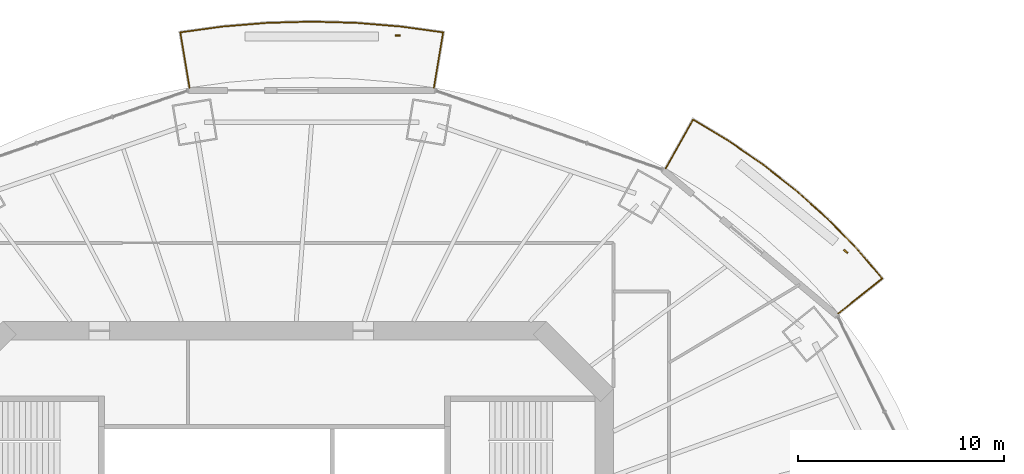
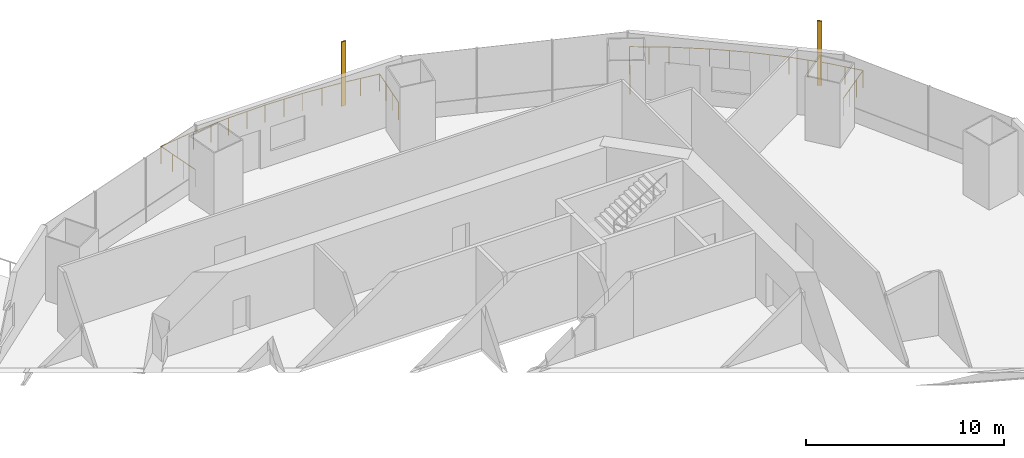
# One storey, part 17 of 19: 2 railings, 2 shading devices.
"""IFC4 building model written with IfcOpenShell, lengths in metres."""

from ifc_helpers import new_model, si_unit, direction, frame, origin, origin_2d, place, context, subcontext, project, spatial, rectangle, circle, extrude, material, material_profile, profile_set, type_object, element, save


model = new_model("IFC4")

# Units and contexts
model_context = context("Model", 3, precision=1e-05, world=origin(), true_north=direction((0.0, 1.0)))
body_context = subcontext(model_context, "Body", "Model", "MODEL_VIEW")
ifc_project = project(units=[si_unit("LENGTHUNIT", "METRE"), si_unit("AREAUNIT", "SQUARE_METRE"), si_unit("VOLUMEUNIT", "CUBIC_METRE"), si_unit("PLANEANGLEUNIT", "RADIAN"), si_unit("MASSUNIT", "GRAM", prefix="KILO")], contexts=[model_context])

# Site, building, storey
site_placement = place(None, origin())
site = spatial("IfcSite", under=ifc_project, at=site_placement, CompositionType="ELEMENT")
building_placement = place(site_placement, origin())
building = spatial("IfcBuilding", under=site, at=building_placement, Name="Marenthal Gate Tower", CompositionType="ELEMENT")
storey_placement = place(building_placement, frame((0.0, 0.0, 231.60009765625)))
storey = spatial("IfcBuildingStorey", under=building, at=storey_placement, Name="L51", CompositionType="ELEMENT", Elevation=231.60009765625)

# Railings
ifc_material_1 = material(Name="Stainless steel", Category="steel")
railing_type = type_object("IfcRailingType", Name="Balcony guard 1100", PredefinedType="GUARDRAIL", material=ifc_material_1)
railing_1_placement = place(storey_placement, frame((18.98583984375, 20.883544921875, 0.0)))
element("IfcRailing", 1, at=railing_1_placement, inside=storey, type_object=railing_type, Name="Balcony guard L51 bay 2", PredefinedType="GUARDRAIL", context=body_context, shape_type="SweptSolid", body=[
    extrude(circle(Radius=0.02392578125, at=origin_2d()), frame((0.0, 0.0, 1.076171875), z_axis=(0.489798972247, 0.871711126711, -0.014719998433), x_axis=(-0.871805582527, 0.489852045289, 0.0)), (0.0, 0.0, 1.0), 2.719970703125),
    extrude(circle(Radius=0.02392578125, at=origin_2d()), frame((1.332275390625, 2.37109375, 1.0361328125), z_axis=(0.856088913712, -0.516828571017, 0.0), x_axis=(0.516828571017, 0.856088913712, 0.0)), (0.0, 0.0, 1.0), 1.9990234375),
    extrude(circle(Radius=0.02392578125, at=origin_2d()), frame((3.043701171875, 1.337890625, 1.0361328125), z_axis=(0.823243306464, -0.567688698462, 0.0), x_axis=(0.567688698462, 0.823243306464, 0.0)), (0.0, 0.0, 1.0), 2.0625),
    extrude(circle(Radius=0.02392578125, at=origin_2d()), frame((4.74169921875, 0.1669921875, 1.0361328125), z_axis=(0.785792171054, -0.618490633648, 0.0), x_axis=(0.618490633648, 0.785792171054, 0.0)), (0.0, 0.0, 1.0), 2.0458984375),
    extrude(circle(Radius=0.02392578125, at=origin_2d()), frame((6.349365234375, -1.098388671875, 1.0361328125), z_axis=(0.744340445793, -0.667800344981, 0.0), x_axis=(0.667800344981, 0.744340445793, 0.0)), (0.0, 0.0, 1.0), 2.028564453125),
    extrude(circle(Radius=0.02392578125, at=origin_2d()), frame((7.859375, -2.453125, 1.0361328125), z_axis=(0.698745300924, -0.715370536461, 0.0), x_axis=(0.715370536461, 0.698745300924, 0.0)), (0.0, 0.0, 1.0), 2.01171875),
    extrude(circle(Radius=0.02392578125, at=origin_2d()), frame((9.26513671875, -3.892333984375, 1.0361328125), z_axis=(0.649961690438, -0.7599669736, 0.0), x_axis=(0.7599669736, 0.649961690438, 0.0)), (0.0, 0.0, 1.0), 1.915283203125),
    extrude(circle(Radius=0.02392578125, at=origin_2d()), frame((10.510009765625, -5.347900390625, 1.0361328125), z_axis=(-0.782855020802, -0.62203005264, 0.014718356461), x_axis=(0.622097438779, -0.78293982953, 0.0)), (0.0, 0.0, 1.0), 2.720458984375),
    extrude(circle(Radius=0.02099609375, at=origin_2d()), origin(), (0.0, 0.0, 1.0), 1.052001953125),
    extrude(circle(Radius=0.02099609375, at=origin_2d()), frame((0.444091796875, 0.790283203125, -0.013427734375)), (0.0, 0.0, 1.0), 1.052001953125),
    extrude(circle(Radius=0.02099609375, at=origin_2d()), frame((0.88818359375, 1.580810546875, -0.026611328125)), (0.0, 0.0, 1.0), 1.052001953125),
    extrude(circle(Radius=0.02099609375, at=origin_2d()), frame((1.332275390625, 2.37109375, -0.0400390625)), (0.0, 0.0, 1.0), 1.052001953125),
    extrude(circle(Radius=0.02099609375, at=origin_2d()), frame((2.18798828125, 1.8544921875, -0.0400390625)), (0.0, 0.0, 1.0), 1.052001953125),
    extrude(circle(Radius=0.02099609375, at=origin_2d()), frame((3.043701171875, 1.337890625, -0.0400390625)), (0.0, 0.0, 1.0), 1.052001953125),
    extrude(circle(Radius=0.02099609375, at=origin_2d()), frame((3.892578125, 0.75244140625, -0.0400390625)), (0.0, 0.0, 1.0), 1.052001953125),
    extrude(circle(Radius=0.02099609375, at=origin_2d()), frame((4.74169921875, 0.1669921875, -0.0400390625)), (0.0, 0.0, 1.0), 1.052001953125),
    extrude(circle(Radius=0.02099609375, at=origin_2d()), frame((5.54541015625, -0.4658203125, -0.0400390625)), (0.0, 0.0, 1.0), 1.052001953125),
    extrude(circle(Radius=0.02099609375, at=origin_2d()), frame((6.349365234375, -1.098388671875, -0.0400390625)), (0.0, 0.0, 1.0), 1.052001953125),
    extrude(circle(Radius=0.02099609375, at=origin_2d()), frame((7.1044921875, -1.77587890625, -0.0400390625)), (0.0, 0.0, 1.0), 1.052001953125),
    extrude(circle(Radius=0.02099609375, at=origin_2d()), frame((7.859375, -2.453125, -0.0400390625)), (0.0, 0.0, 1.0), 1.052001953125),
    extrude(circle(Radius=0.02099609375, at=origin_2d()), frame((8.562255859375, -3.1728515625, -0.0400390625)), (0.0, 0.0, 1.0), 1.052001953125),
    extrude(circle(Radius=0.02099609375, at=origin_2d()), frame((9.26513671875, -3.892333984375, -0.0400390625)), (0.0, 0.0, 1.0), 1.052001953125),
    extrude(circle(Radius=0.02099609375, at=origin_2d()), frame((9.8876953125, -4.6201171875, -0.0400390625)), (0.0, 0.0, 1.0), 1.052001953125),
    extrude(circle(Radius=0.02099609375, at=origin_2d()), frame((10.510009765625, -5.347900390625, -0.0400390625)), (0.0, 0.0, 1.0), 1.052001953125),
    extrude(circle(Radius=0.02099609375, at=origin_2d()), frame((9.800048828125, -5.911865234375, -0.026611328125)), (0.0, 0.0, 1.0), 1.052001953125),
    extrude(circle(Radius=0.02099609375, at=origin_2d()), frame((9.09033203125, -6.47607421875, -0.013427734375)), (0.0, 0.0, 1.0), 1.052001953125),
    extrude(circle(Radius=0.02099609375, at=origin_2d()), frame((8.38037109375, -7.0400390625, 0.0)), (0.0, 0.0, 1.0), 1.052001953125),
])
railing_2_placement = place(storey_placement, frame((-4.13134765625, 24.80078125, 0.0)))
element("IfcRailing", 2, at=railing_2_placement, inside=storey, type_object=railing_type, Name="Balcony guard L51 bay 4", PredefinedType="GUARDRAIL", context=body_context, shape_type="SweptSolid", body=[
    extrude(circle(Radius=0.02392578125, at=origin_2d()), frame((0.0, 0.0, 1.076171875), z_axis=(-0.164963320777, 0.986189863276, -0.014719251691), x_axis=(-0.986296712796, -0.164981193859, 0.0)), (0.0, 0.0, 1.0), 2.72021484375),
    extrude(circle(Radius=0.02392578125, at=origin_2d()), frame((-0.44873046875, 2.6826171875, 1.0361328125), z_axis=(0.990646325062, 0.136454602859, 0.0), x_axis=(-0.136454602859, 0.990646325062, 0.0)), (0.0, 0.0, 1.0), 2.0791015625),
    extrude(circle(Radius=0.02392578125, at=origin_2d()), frame((1.61083984375, 2.96630859375, 1.0361328125), z_axis=(0.996591524786, 0.082494440564, 0.0), x_axis=(-0.082494440564, 0.996591524786, 0.0)), (0.0, 0.0, 1.0), 2.163330078125),
    extrude(circle(Radius=0.02392578125, at=origin_2d()), frame((3.766845703125, 3.144775390625, 1.0361328125), z_axis=(0.999624610173, 0.027397787082, 0.0), x_axis=(-0.027397787082, 0.999624610173, 0.0)), (0.0, 0.0, 1.0), 2.165283203125),
    extrude(circle(Radius=0.02392578125, at=origin_2d()), frame((5.931396484375, 3.2041015625, 1.0361328125), z_axis=(0.999624610173, -0.027397787082, 0.0), x_axis=(0.027397787082, 0.999624610173, 0.0)), (0.0, 0.0, 1.0), 2.165283203125),
    extrude(circle(Radius=0.02392578125, at=origin_2d()), frame((8.095947265625, 3.144775390625, 1.0361328125), z_axis=(0.996591524786, -0.082494440564, 0.0), x_axis=(0.082494440564, 0.996591524786, 0.0)), (0.0, 0.0, 1.0), 2.163330078125),
    extrude(circle(Radius=0.02392578125, at=origin_2d()), frame((10.251953125, 2.96630859375, 1.0361328125), z_axis=(0.990646325062, -0.136454602859, 0.0), x_axis=(0.136454602859, 0.990646325062, 0.0)), (0.0, 0.0, 1.0), 2.0791015625),
    extrude(circle(Radius=0.02392578125, at=origin_2d()), frame((12.3115234375, 2.6826171875, 1.0361328125), z_axis=(-0.164963320777, -0.986189863276, 0.014719251691), x_axis=(0.986296712796, -0.164981193859, 0.0)), (0.0, 0.0, 1.0), 2.72021484375),
    extrude(circle(Radius=0.02099609375, at=origin_2d()), origin(), (0.0, 0.0, 1.0), 1.052001953125),
    extrude(circle(Radius=0.02099609375, at=origin_2d()), frame((-0.149658203125, 0.894287109375, -0.013427734375)), (0.0, 0.0, 1.0), 1.052001953125),
    extrude(circle(Radius=0.02099609375, at=origin_2d()), frame((-0.299072265625, 1.788330078125, -0.026611328125)), (0.0, 0.0, 1.0), 1.052001953125),
    extrude(circle(Radius=0.02099609375, at=origin_2d()), frame((-0.44873046875, 2.6826171875, -0.0400390625)), (0.0, 0.0, 1.0), 1.052001953125),
    extrude(circle(Radius=0.02099609375, at=origin_2d()), frame((0.5810546875, 2.824462890625, -0.0400390625)), (0.0, 0.0, 1.0), 1.052001953125),
    extrude(circle(Radius=0.02099609375, at=origin_2d()), frame((1.61083984375, 2.96630859375, -0.0400390625)), (0.0, 0.0, 1.0), 1.052001953125),
    extrude(circle(Radius=0.02099609375, at=origin_2d()), frame((2.68896484375, 3.0556640625, -0.0400390625)), (0.0, 0.0, 1.0), 1.052001953125),
    extrude(circle(Radius=0.02099609375, at=origin_2d()), frame((3.766845703125, 3.144775390625, -0.0400390625)), (0.0, 0.0, 1.0), 1.052001953125),
    extrude(circle(Radius=0.02099609375, at=origin_2d()), frame((4.84912109375, 3.17431640625, -0.0400390625)), (0.0, 0.0, 1.0), 1.052001953125),
    extrude(circle(Radius=0.02099609375, at=origin_2d()), frame((5.931396484375, 3.2041015625, -0.0400390625)), (0.0, 0.0, 1.0), 1.052001953125),
    extrude(circle(Radius=0.02099609375, at=origin_2d()), frame((7.013671875, 3.17431640625, -0.0400390625)), (0.0, 0.0, 1.0), 1.052001953125),
    extrude(circle(Radius=0.02099609375, at=origin_2d()), frame((8.095947265625, 3.144775390625, -0.0400390625)), (0.0, 0.0, 1.0), 1.052001953125),
    extrude(circle(Radius=0.02099609375, at=origin_2d()), frame((9.173828125, 3.0556640625, -0.0400390625)), (0.0, 0.0, 1.0), 1.052001953125),
    extrude(circle(Radius=0.02099609375, at=origin_2d()), frame((10.251953125, 2.96630859375, -0.0400390625)), (0.0, 0.0, 1.0), 1.052001953125),
    extrude(circle(Radius=0.02099609375, at=origin_2d()), frame((11.28173828125, 2.824462890625, -0.0400390625)), (0.0, 0.0, 1.0), 1.052001953125),
    extrude(circle(Radius=0.02099609375, at=origin_2d()), frame((12.3115234375, 2.6826171875, -0.0400390625)), (0.0, 0.0, 1.0), 1.052001953125),
    extrude(circle(Radius=0.02099609375, at=origin_2d()), frame((12.161865234375, 1.788330078125, -0.026611328125)), (0.0, 0.0, 1.0), 1.052001953125),
    extrude(circle(Radius=0.02099609375, at=origin_2d()), frame((12.012451171875, 0.894287109375, -0.013427734375)), (0.0, 0.0, 1.0), 1.052001953125),
    extrude(circle(Radius=0.02099609375, at=origin_2d()), frame((11.86279296875, 0.0, 0.0)), (0.0, 0.0, 1.0), 1.052001953125),
])

# Shading devices
ifc_material_2 = material(Name="Terracotta", Category="masonry")
ifc_material_profile = material_profile(ifc_material_2, rectangle(XDim=0.25, YDim=0.080078125, at=origin_2d()), Name="Terracotta baguette 250x80")
ifc_profile_set = profile_set([ifc_material_profile], Name="Terracotta")
shading_device_type = type_object("IfcShadingDeviceType", Name="Terracotta BAGUETTE SCREEN 250x80", PredefinedType="USERDEFINED", material=ifc_profile_set)
for number, where, z_axis, x_axis, name in (
    (3, (27.72314453125, 16.851318359375, -0.0400390625), (0.0, 0.0, 1.0), (-0.765550876952, 0.643375360732, 0.0), "Terracotta BAGUETTE L51 bay 2L"),
    (4, (5.971923828125, 27.3291015625, -0.0400390625), (0.0, 0.0, 1.0), (-1.0, 0.0, 0.0), "Terracotta BAGUETTE L51 bay 4L"),
):
    element("IfcShadingDevice", number, at=place(storey_placement, frame(where, z_axis=z_axis, x_axis=x_axis)), inside=storey, type_object=shading_device_type, Name=name, ObjectType="BAGUETTE SCREEN", PredefinedType="USERDEFINED", context=body_context, shape_type="SweptSolid", body=[
        extrude(rectangle(XDim=0.25, YDim=0.080078125, at=origin_2d()), origin(), (0.0, 0.0, 1.0), 3.969970703125),
    ])

save(model, "model.ifc")
